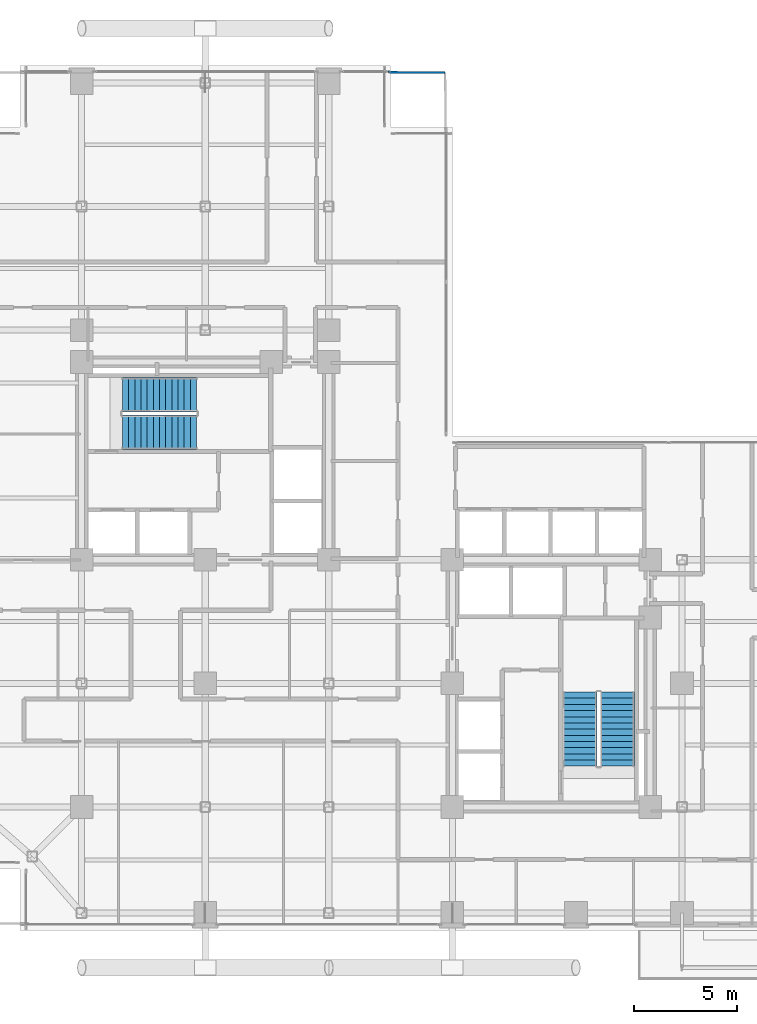
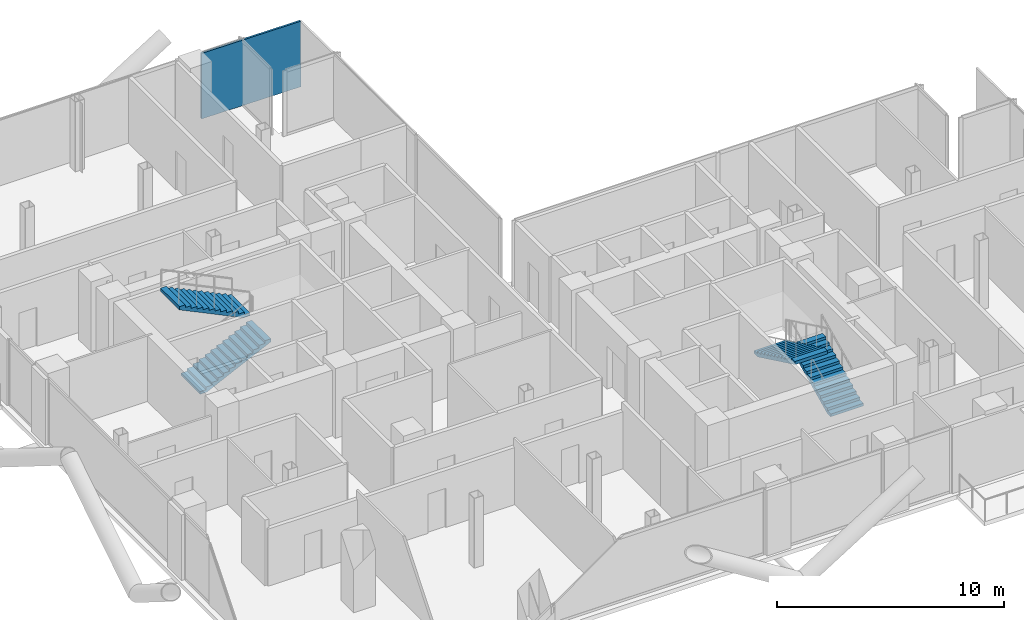
# One storey, part 25 of 28: 4 stair flights, 1 wall, 2 elements without a shape of their own.
"""IFC4 building model written with IfcOpenShell, lengths in metres."""

from ifc_helpers import new_model, si_unit, direction, frame, frame_2d, origin, place, context, subcontext, project, spatial, polyline, rectangle, outline, extrude, material, layer, layer_set, type_object, element, aggregate, save


model = new_model("IFC4")

# Units and contexts
model_context = context("Model", 3, precision=1e-05, world=origin(), true_north=direction((0.0, 1.0)))
body_context = subcontext(model_context, "Body", "Model", "MODEL_VIEW")
ifc_project = project(units=[si_unit("LENGTHUNIT", "METRE"), si_unit("AREAUNIT", "SQUARE_METRE"), si_unit("VOLUMEUNIT", "CUBIC_METRE"), si_unit("PLANEANGLEUNIT", "RADIAN"), si_unit("MASSUNIT", "GRAM", prefix="KILO"), si_unit("THERMODYNAMICTEMPERATUREUNIT", "KELVIN"), si_unit("POWERUNIT", "WATT")], contexts=[model_context])

# Site, building, storey
site_placement = place(None, origin())
site = spatial("IfcSite", under=ifc_project, at=site_placement, CompositionType="ELEMENT")
building_placement = place(site_placement, origin())
building = spatial("IfcBuilding", under=site, at=building_placement, Name="Svarakhadi Broadcast Tower", CompositionType="ELEMENT")
storey_placement = place(building_placement, frame((0.0, 0.0, 138.14990234375)))
storey = spatial("IfcBuildingStorey", under=building, at=storey_placement, Name="L33", CompositionType="ELEMENT", Elevation=138.14990234375)

# Wall
ifc_material_1 = material(Name="Fire-Rated Moisture-Resistant Gypsum Board Partition", Category="gypsum")
ifc_layer = layer(ifc_material_1, 0.10009765625)
ifc_layer_set = layer_set([ifc_layer], Name="Fire-Rated Moisture-Resistant Gypsum Board Partition")
wall_type = type_object("IfcWallType", Name="Wall_Part_100", PredefinedType="PARTITIONING", material=ifc_layer_set)
wall_placement = place(storey_placement, frame((18.614990234375, 41.690185546875, 0.0), z_axis=(0.0, 0.0, 1.0), x_axis=(0.99996799533, -0.008000519771, 0.0)))
element("IfcWall", 1, at=wall_placement, inside=storey, type_object=wall_type, Name="L33 Executive Producer Office Wall", PredefinedType="PARTITIONING", context=body_context, shape_type="SweptSolid", body=[
    extrude(rectangle(XDim=5.03515625, YDim=0.10009765625, at=frame_2d((2.517578125, 0.0))), origin(), (0.0, 0.0, 1.0), 3.525146484375),
])

# Stair, stair flights
ifc_material_2 = material(Name="Concrete C40/50 (IS 456 M50)", Category="concrete")
stair_type = type_object("IfcStairType", Name="Stair_Exit_Core", PredefinedType="HALF_TURN_STAIR", material=ifc_material_2)
stair_1_placement = place(storey_placement, origin())
stair_1 = element("IfcStair", 2, at=stair_1_placement, inside=storey, type_object=stair_type, Name="L33 West Core Protected Exit Stair ST-01", PredefinedType="HALF_TURN_STAIR")
stair_flight_type = type_object("IfcStairFlightType", Name="Flight_RC_1680", PredefinedType="STRAIGHT", material=ifc_material_2)
stair_flight_1_placement = place(storey_placement, frame((7.97998046875, 24.18994140625, 0.0), z_axis=(0.0, 0.0, 1.0), x_axis=(1.0, 0.0, 0.0)))
stair_flight_1 = element("IfcStairFlight", 3, at=stair_flight_1_placement, type_object=stair_flight_type, Name="ST-01 flight 1", NumberOfRisers=13, NumberOfTreads=12, PredefinedType="STRAIGHT", RiserHeight=0.144230769, TreadLength=0.3, context=body_context, shape_type="SweptSolid", body=[
    extrude(outline(polyline([(0.0, 0.0), (0.0, 0.144287109375), (0.300048828125, 0.144287109375), (0.300048828125, 0.28857421875), (0.60009765625, 0.28857421875), (0.60009765625, 0.4326171875), (0.89990234375, 0.4326171875), (0.89990234375, 0.576904296875), (1.199951171875, 0.576904296875), (1.199951171875, 0.72119140625), (1.5, 0.72119140625), (1.5, 0.865478515625), (1.800048828125, 0.865478515625), (1.800048828125, 1.009521484375), (2.10009765625, 1.009521484375), (2.10009765625, 1.15380859375), (2.39990234375, 1.15380859375), (2.39990234375, 1.298095703125), (2.699951171875, 1.298095703125), (2.699951171875, 1.4423828125), (3.0, 1.4423828125), (3.0, 1.58642578125), (3.300048828125, 1.58642578125), (3.300048828125, 1.730712890625), (3.60009765625, 1.730712890625), (3.60009765625, 1.875), (3.60009765625, 1.564453125), (0.345947265625, 0.0), (0.0, 0.0)])), frame((0.0, 0.830078125, 0.0), z_axis=(0.0, -1.0, 0.0), x_axis=(1.0, 0.0, 0.0)), (0.0, 0.0, 1.0), 1.659912109375),
])
stair_flight_2_placement = place(storey_placement, frame((11.580078125, 26.010009765625, 1.875), z_axis=(0.0, 0.0, 1.0), x_axis=(-1.0, 0.0, 0.0)))
stair_flight_2 = element("IfcStairFlight", 4, at=stair_flight_2_placement, type_object=stair_flight_type, Name="ST-01 flight 2", NumberOfRisers=13, NumberOfTreads=12, PredefinedType="STRAIGHT", RiserHeight=0.144230769, TreadLength=0.3, context=body_context, shape_type="SweptSolid", body=[
    extrude(outline(polyline([(0.0, 0.0), (0.0, 0.144287109375), (0.300048828125, 0.144287109375), (0.300048828125, 0.28857421875), (0.60009765625, 0.28857421875), (0.60009765625, 0.4326171875), (0.89990234375, 0.4326171875), (0.89990234375, 0.576904296875), (1.199951171875, 0.576904296875), (1.199951171875, 0.72119140625), (1.5, 0.72119140625), (1.5, 0.865478515625), (1.800048828125, 0.865478515625), (1.800048828125, 1.009521484375), (2.10009765625, 1.009521484375), (2.10009765625, 1.15380859375), (2.39990234375, 1.15380859375), (2.39990234375, 1.298095703125), (2.699951171875, 1.298095703125), (2.699951171875, 1.4423828125), (3.0, 1.4423828125), (3.0, 1.58642578125), (3.300048828125, 1.58642578125), (3.300048828125, 1.730712890625), (3.60009765625, 1.730712890625), (3.60009765625, 1.875), (3.60009765625, 1.564453125), (0.345947265625, 0.0), (0.0, 0.0)])), frame((0.0, 0.830078125, 0.0), z_axis=(0.0, -1.0, 0.0), x_axis=(1.0, 0.0, 0.0)), (0.0, 0.0, 1.0), 1.659912109375),
])
aggregate(stair_1, [stair_flight_1, stair_flight_2])

stair_2_placement = place(storey_placement, origin())
stair_2 = element("IfcStair", 5, at=stair_2_placement, inside=storey, type_object=stair_type, Name="L33 East Core Protected Exit Stair ST-02", PredefinedType="HALF_TURN_STAIR")
stair_flight_3_placement = place(storey_placement, frame((32.010009765625, 7.97998046875, 0.0), z_axis=(0.0, 0.0, 1.0), x_axis=(0.0, 1.0, 0.0)))
stair_flight_3 = element("IfcStairFlight", 6, at=stair_flight_3_placement, type_object=stair_flight_type, Name="ST-02 flight 1", NumberOfRisers=13, NumberOfTreads=12, PredefinedType="STRAIGHT", RiserHeight=0.144230769, TreadLength=0.3, context=body_context, shape_type="SweptSolid", body=[
    extrude(outline(polyline([(0.0, 0.0), (0.0, 0.144287109375), (0.300048828125, 0.144287109375), (0.300048828125, 0.28857421875), (0.60009765625, 0.28857421875), (0.60009765625, 0.4326171875), (0.89990234375, 0.4326171875), (0.89990234375, 0.576904296875), (1.199951171875, 0.576904296875), (1.199951171875, 0.72119140625), (1.5, 0.72119140625), (1.5, 0.865478515625), (1.800048828125, 0.865478515625), (1.800048828125, 1.009521484375), (2.10009765625, 1.009521484375), (2.10009765625, 1.15380859375), (2.39990234375, 1.15380859375), (2.39990234375, 1.298095703125), (2.699951171875, 1.298095703125), (2.699951171875, 1.4423828125), (3.0, 1.4423828125), (3.0, 1.58642578125), (3.300048828125, 1.58642578125), (3.300048828125, 1.730712890625), (3.60009765625, 1.730712890625), (3.60009765625, 1.875), (3.60009765625, 1.564453125), (0.345947265625, 0.0), (0.0, 0.0)])), frame((0.0, 0.830078125, 0.0), z_axis=(0.0, -1.0, 0.0), x_axis=(1.0, 0.0, 0.0)), (0.0, 0.0, 1.0), 1.659912109375),
])
stair_flight_4_placement = place(storey_placement, frame((30.18994140625, 11.580078125, 1.875), z_axis=(0.0, 0.0, 1.0), x_axis=(0.0, -1.0, 0.0)))
stair_flight_4 = element("IfcStairFlight", 7, at=stair_flight_4_placement, type_object=stair_flight_type, Name="ST-02 flight 2", NumberOfRisers=13, NumberOfTreads=12, PredefinedType="STRAIGHT", RiserHeight=0.144230769, TreadLength=0.3, context=body_context, shape_type="SweptSolid", body=[
    extrude(outline(polyline([(0.0, 0.0), (0.0, 0.144287109375), (0.300048828125, 0.144287109375), (0.300048828125, 0.28857421875), (0.60009765625, 0.28857421875), (0.60009765625, 0.4326171875), (0.89990234375, 0.4326171875), (0.89990234375, 0.576904296875), (1.199951171875, 0.576904296875), (1.199951171875, 0.72119140625), (1.5, 0.72119140625), (1.5, 0.865478515625), (1.800048828125, 0.865478515625), (1.800048828125, 1.009521484375), (2.10009765625, 1.009521484375), (2.10009765625, 1.15380859375), (2.39990234375, 1.15380859375), (2.39990234375, 1.298095703125), (2.699951171875, 1.298095703125), (2.699951171875, 1.4423828125), (3.0, 1.4423828125), (3.0, 1.58642578125), (3.300048828125, 1.58642578125), (3.300048828125, 1.730712890625), (3.60009765625, 1.730712890625), (3.60009765625, 1.875), (3.60009765625, 1.564453125), (0.345947265625, 0.0), (0.0, 0.0)])), frame((0.0, 0.830078125, 0.0), z_axis=(0.0, -1.0, 0.0), x_axis=(1.0, 0.0, 0.0)), (0.0, 0.0, 1.0), 1.659912109375),
])
aggregate(stair_2, [stair_flight_3, stair_flight_4])

save(model, "model.ifc")
